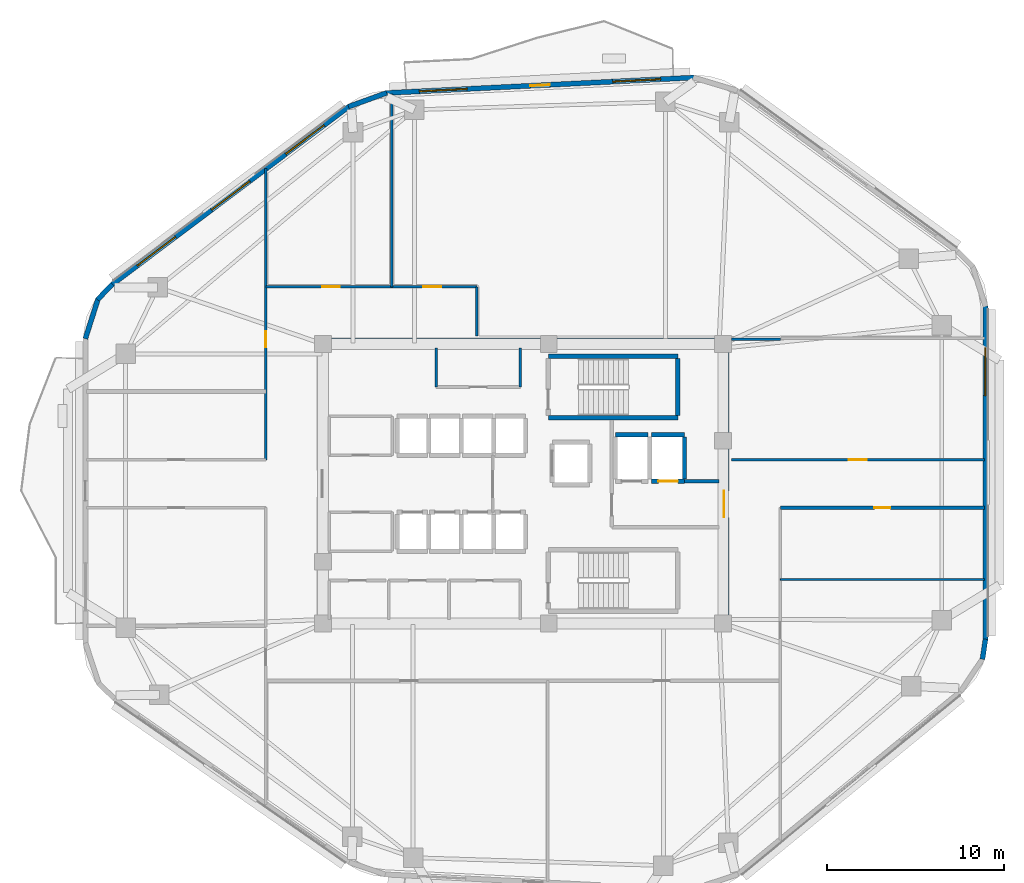
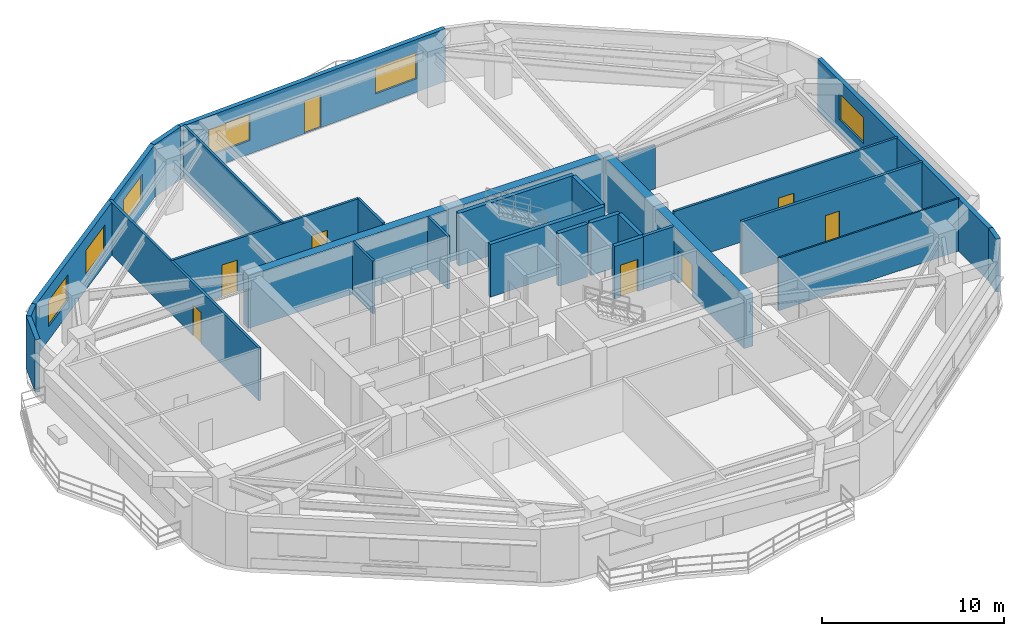
# One storey, part 5 of 9: 27 walls, 8 doors, 6 windows, 14 openings.
"""IFC4 building model written with IfcOpenShell, lengths in metres."""

from ifc_helpers import new_model, si_unit, direction, frame, frame_2d, origin, place, context, subcontext, project, spatial, rectangle, extrude, material, layer, layer_set, type_object, element, fill, save


model = new_model("IFC4")

# Units and contexts
model_context = context("Model", 3, precision=1e-05, world=origin(), true_north=direction((0.0, 1.0)))
body_context = subcontext(model_context, "Body", "Model", "MODEL_VIEW")
ifc_project = project(units=[si_unit("LENGTHUNIT", "METRE"), si_unit("AREAUNIT", "SQUARE_METRE"), si_unit("VOLUMEUNIT", "CUBIC_METRE"), si_unit("PLANEANGLEUNIT", "RADIAN"), si_unit("MASSUNIT", "GRAM", prefix="KILO")], contexts=[model_context])

# Site, building, storey
site_placement = place(None, origin())
site = spatial("IfcSite", under=ifc_project, at=site_placement, CompositionType="ELEMENT")
building_placement = place(site_placement, origin())
building = spatial("IfcBuilding", under=site, at=building_placement, Name="Zulverin Broadcast Headquarters", CompositionType="ELEMENT")
storey_placement = place(building_placement, frame((0.0, 0.0, 144.0)))
storey = spatial("IfcBuildingStorey", under=building, at=storey_placement, Name="L36", CompositionType="ELEMENT", Elevation=144.0)

# Wall
ifc_material_1 = material(Name="Concrete C60/75", Category="concrete")
ifc_layer_1 = layer(ifc_material_1, 0.550048828125, Name="Concrete C60/75", Category="concrete")
ifc_layer_set_1 = layer_set([ifc_layer_1], Name="Concrete C60/75")
wall_type_1 = type_object("IfcWallType", Name="WL-CORE-550", PredefinedType="SHEAR", material=ifc_layer_set_1)
wall_1_placement = place(storey_placement, frame((25.39990234375, 33.125, 0.0), z_axis=(0.0, 0.0, 1.0), x_axis=(1.0, 0.0, 0.0)))
element("IfcWall", 1, at=wall_1_placement, inside=storey, type_object=wall_type_1, Name="L36 Core North Shear Wall", PredefinedType="SHEAR", context=body_context, shape_type="SweptSolid", body=[
    extrude(rectangle(XDim=23.2001953125, YDim=0.550048828125, at=frame_2d((11.60009765625, 0.0))), origin(), (0.0, 0.0, 1.0), 3.5400390625),
])

# Wall, opening, door
wall_2_placement = place(storey_placement, frame((48.324951171875, 17.550048828125, 0.0), z_axis=(0.0, 0.0, 1.0), x_axis=(0.0, 1.0, 0.0)))
wall_2 = element("IfcWall", 2, at=wall_2_placement, inside=storey, type_object=wall_type_1, Name="L36 Core East Shear Wall", PredefinedType="SHEAR", context=body_context, shape_type="SweptSolid", body=[
    extrude(rectangle(XDim=15.300048828125, YDim=0.550048828125, at=frame_2d((7.64990234375, 0.0))), origin(), (0.0, 0.0, 1.0), 3.5400390625),
])
opening_1_placement = place(wall_2_placement, frame((5.75, 0.0, 0.0)))
opening_1 = element("IfcOpeningElement", 3, at=opening_1_placement, cuts=wall_2, Name="Opening D-L36-CE1", PredefinedType="OPENING", context=body_context, shape_type="SweptSolid", body=[
    extrude(rectangle(XDim=1.5, YDim=2.14990234375, at=frame_2d((0.75, 1.074951171875))), frame((0.0, 0.284912109375, 0.0), z_axis=(0.0, -1.0, 0.0), x_axis=(1.0, 0.0, 0.0)), (0.0, 0.0, 1.0), 0.570068359375),
])
ifc_material_2 = material(Name="Fire-rated glazed steel frame", Category="steel")
door_type_1 = type_object("IfcDoorType", Name="DR-COR-1500", OperationType="DOUBLE_DOOR_SINGLE_SWING", PredefinedType="DOOR", material=ifc_material_2)
door_1_placement = place(opening_1_placement, origin())
door_1 = element("IfcDoor", 4, at=door_1_placement, inside=storey, type_object=door_type_1, Name="L36 Firefighting Lobby East Corridor Door", OperationType="DOUBLE_DOOR_SINGLE_SWING", OverallHeight=2.14990234375, OverallWidth=1.5, PredefinedType="DOOR", context=body_context, shape_type="SweptSolid", body=[
    extrude(rectangle(XDim=1.5, YDim=2.14990234375, at=frame_2d((0.75, 1.074951171875))), frame((0.0, 0.02490234375, 0.0), z_axis=(0.0, -1.0, 0.0), x_axis=(1.0, 0.0, 0.0)), (0.0, 0.0, 1.0), 0.050048828125),
])
fill(opening_1, door_1)

# Wall, opening, window
ifc_material_3 = material(Name="Insulated pale-metal clad concrete spandrel C40/50", Category="concrete")
ifc_layer_2 = layer(ifc_material_3, 0.280029296875, Name="Insulated pale-metal clad concrete spandrel C40/50", Category="concrete")
ifc_layer_set_2 = layer_set([ifc_layer_2], Name="Insulated pale-metal clad concrete spandrel C40/50")
wall_type_2 = type_object("IfcWallType", Name="WL-EXT-280", PredefinedType="STANDARD", material=ifc_layer_set_2)
wall_3_placement = place(storey_placement, frame((63.06005859375, 16.418212890625, 0.0), z_axis=(0.0, 0.0, 1.0), x_axis=(0.0, 1.0, 0.0)))
wall_3 = element("IfcWall", 5, at=wall_3_placement, inside=storey, type_object=wall_type_2, Name="L36 Pale-Metal Clad Spandrel Wall 3", PredefinedType="STANDARD", context=body_context, shape_type="SweptSolid", body=[
    extrude(rectangle(XDim=18.811767578125, YDim=0.280029296875, at=frame_2d((9.40576171875, 0.0))), origin(), (0.0, 0.0, 1.0), 3.5400390625),
])
opening_2_placement = place(wall_3_placement, frame((13.742919921875, 0.0, 0.89990234375)))
opening_2 = element("IfcOpeningElement", 6, at=opening_2_placement, cuts=wall_3, Name="Opening W-L36-E31", PredefinedType="OPENING", context=body_context, shape_type="SweptSolid", body=[
    extrude(rectangle(XDim=2.699951171875, YDim=1.75, at=frame_2d((1.35009765625, 0.875))), frame((0.0, 0.14990234375, 0.0), z_axis=(0.0, -1.0, 0.0), x_axis=(1.0, 0.0, 0.0)), (0.0, 0.0, 1.0), 0.300048828125),
])
ifc_material_4 = material(Name="Pale anodized aluminium frame with solar-control low-E double glazing", Category="aluminium")
window_type = type_object("IfcWindowType", Name="WIN-TWR-2700", PartitioningType="SINGLE_PANEL", PredefinedType="WINDOW", material=ifc_material_4)
window_1_placement = place(opening_2_placement, origin())
window_1 = element("IfcWindow", 7, at=window_1_placement, inside=storey, type_object=window_type, Name="L36 Ribbon Glazing Window 3 1", OverallHeight=1.75, OverallWidth=2.699951171875, PartitioningType="SINGLE_PANEL", PredefinedType="WINDOW", context=body_context, shape_type="SweptSolid", body=[
    extrude(rectangle(XDim=2.699951171875, YDim=1.75, at=frame_2d((1.35009765625, 0.875))), frame((0.0, 0.030029296875, 0.0), z_axis=(0.0, -1.0, 0.0), x_axis=(1.0, 0.0, 0.0)), (0.0, 0.0, 1.0), 0.06005859375),
])
fill(opening_2, window_1)

# Wall, openings, door, windows
wall_4_placement = place(storey_placement, frame((46.632080078125, 48.091064453125, 0.0), z_axis=(0.0, 0.0, 1.0), x_axis=(-0.998744129094, -0.050101542886, 0.0)))
wall_4 = element("IfcWall", 8, at=wall_4_placement, inside=storey, type_object=wall_type_2, Name="L36 Pale-Metal Clad Spandrel Wall 5", PredefinedType="STANDARD", context=body_context, shape_type="SweptSolid", body=[
    extrude(rectangle(XDim=17.381591796875, YDim=0.280029296875, at=frame_2d((8.69091796875, 0.0))), origin(), (0.0, 0.0, 1.0), 3.5400390625),
])
opening_3_placement = place(wall_4_placement, frame((8.140869140625, 0.0, 0.0)))
opening_3 = element("IfcOpeningElement", 9, at=opening_3_placement, cuts=wall_4, Name="Opening D-L36-TR5", PredefinedType="OPENING", context=body_context, shape_type="SweptSolid", body=[
    extrude(rectangle(XDim=1.10009765625, YDim=2.199951171875, at=frame_2d((0.550048828125, 1.10009765625))), frame((0.0, 0.14990234375, 0.0), z_axis=(0.0, -1.0, 0.0), x_axis=(1.0, 0.0, 0.0)), (0.0, 0.0, 1.0), 0.300048828125),
])
opening_4_placement = place(wall_4_placement, frame((1.88037109375, 0.0, 0.89990234375)))
opening_4 = element("IfcOpeningElement", 10, at=opening_4_placement, cuts=wall_4, Name="Opening W-L36-E51", PredefinedType="OPENING", context=body_context, shape_type="SweptSolid", body=[
    extrude(rectangle(XDim=2.699951171875, YDim=1.75, at=frame_2d((1.35009765625, 0.875))), frame((0.0, 0.14990234375, 0.0), z_axis=(0.0, -1.0, 0.0), x_axis=(1.0, 0.0, 0.0)), (0.0, 0.0, 1.0), 0.300048828125),
])
opening_5_placement = place(wall_4_placement, frame((12.801513671875, 0.0, 0.89990234375)))
opening_5 = element("IfcOpeningElement", 11, at=opening_5_placement, cuts=wall_4, Name="Opening W-L36-E52", PredefinedType="OPENING", context=body_context, shape_type="SweptSolid", body=[
    extrude(rectangle(XDim=2.699951171875, YDim=1.75, at=frame_2d((1.35009765625, 0.875))), frame((0.0, 0.14990234375, 0.0), z_axis=(0.0, -1.0, 0.0), x_axis=(1.0, 0.0, 0.0)), (0.0, 0.0, 1.0), 0.300048828125),
])
ifc_material_5 = material(Name="Thermally broken aluminium glazed", Category="aluminium")
door_type_2 = type_object("IfcDoorType", Name="DR-TERR-1100", OperationType="SINGLE_SWING_RIGHT", PredefinedType="DOOR", material=ifc_material_5)
door_2_placement = place(opening_3_placement, origin())
door_2 = element("IfcDoor", 12, at=door_2_placement, inside=storey, type_object=door_type_2, Name="L36 Planted Terrace Glazed Access Door 5", OperationType="SINGLE_SWING_RIGHT", OverallHeight=2.199951171875, OverallWidth=1.10009765625, PredefinedType="DOOR", context=body_context, shape_type="SweptSolid", body=[
    extrude(rectangle(XDim=1.10009765625, YDim=2.199951171875, at=frame_2d((0.550048828125, 1.10009765625))), frame((0.0, 0.02490234375, 0.0), z_axis=(0.0, -1.0, 0.0), x_axis=(1.0, 0.0, 0.0)), (0.0, 0.0, 1.0), 0.050048828125),
])
fill(opening_3, door_2)
window_2_placement = place(opening_4_placement, origin())
window_2 = element("IfcWindow", 13, at=window_2_placement, inside=storey, type_object=window_type, Name="L36 Ribbon Glazing Window 5 1", OverallHeight=1.75, OverallWidth=2.699951171875, PartitioningType="SINGLE_PANEL", PredefinedType="WINDOW", context=body_context, shape_type="SweptSolid", body=[
    extrude(rectangle(XDim=2.699951171875, YDim=1.75, at=frame_2d((1.35009765625, 0.875))), frame((0.0, 0.030029296875, 0.0), z_axis=(0.0, -1.0, 0.0), x_axis=(1.0, 0.0, 0.0)), (0.0, 0.0, 1.0), 0.06005859375),
])
fill(opening_4, window_2)
window_3_placement = place(opening_5_placement, origin())
window_3 = element("IfcWindow", 14, at=window_3_placement, inside=storey, type_object=window_type, Name="L36 Ribbon Glazing Window 5 2", OverallHeight=1.75, OverallWidth=2.699951171875, PartitioningType="SINGLE_PANEL", PredefinedType="WINDOW", context=body_context, shape_type="SweptSolid", body=[
    extrude(rectangle(XDim=2.699951171875, YDim=1.75, at=frame_2d((1.35009765625, 0.875))), frame((0.0, 0.030029296875, 0.0), z_axis=(0.0, -1.0, 0.0), x_axis=(1.0, 0.0, 0.0)), (0.0, 0.0, 1.0), 0.06005859375),
])
fill(opening_5, window_3)

# Wall, openings, windows
wall_5_placement = place(storey_placement, frame((27.201171875, 46.469970703125, 0.0), z_axis=(0.0, 0.0, 1.0), x_axis=(-0.799280853427, -0.600957666849, 0.0)))
wall_5 = element("IfcWall", 15, at=wall_5_placement, inside=storey, type_object=wall_type_2, Name="L36 Pale-Metal Clad Spandrel Wall 6", PredefinedType="STANDARD", context=body_context, shape_type="SweptSolid", body=[
    extrude(rectangle(XDim=16.716064453125, YDim=0.280029296875, at=frame_2d((8.35791015625, 0.0))), origin(), (0.0, 0.0, 1.0), 3.5400390625),
])
opening_6_placement = place(wall_5_placement, frame((1.769287109375, 0.0, 0.89990234375)))
opening_6 = element("IfcOpeningElement", 16, at=opening_6_placement, cuts=wall_5, Name="Opening W-L36-E61", PredefinedType="OPENING", context=body_context, shape_type="SweptSolid", body=[
    extrude(rectangle(XDim=2.699951171875, YDim=1.75, at=frame_2d((1.35009765625, 0.875))), frame((0.0, 0.14990234375, 0.0), z_axis=(0.0, -1.0, 0.0), x_axis=(1.0, 0.0, 0.0)), (0.0, 0.0, 1.0), 0.300048828125),
])
opening_7_placement = place(wall_5_placement, frame((7.008056640625, 0.0, 0.89990234375)))
opening_7 = element("IfcOpeningElement", 17, at=opening_7_placement, cuts=wall_5, Name="Opening W-L36-E62", PredefinedType="OPENING", context=body_context, shape_type="SweptSolid", body=[
    extrude(rectangle(XDim=2.699951171875, YDim=1.75, at=frame_2d((1.35009765625, 0.875))), frame((0.0, 0.14990234375, 0.0), z_axis=(0.0, -1.0, 0.0), x_axis=(1.0, 0.0, 0.0)), (0.0, 0.0, 1.0), 0.300048828125),
])
opening_8_placement = place(wall_5_placement, frame((12.246826171875, 0.0, 0.89990234375)))
opening_8 = element("IfcOpeningElement", 18, at=opening_8_placement, cuts=wall_5, Name="Opening W-L36-E63", PredefinedType="OPENING", context=body_context, shape_type="SweptSolid", body=[
    extrude(rectangle(XDim=2.699951171875, YDim=1.75, at=frame_2d((1.35009765625, 0.875))), frame((0.0, 0.14990234375, 0.0), z_axis=(0.0, -1.0, 0.0), x_axis=(1.0, 0.0, 0.0)), (0.0, 0.0, 1.0), 0.300048828125),
])
window_4_placement = place(opening_6_placement, origin())
window_4 = element("IfcWindow", 19, at=window_4_placement, inside=storey, type_object=window_type, Name="L36 Ribbon Glazing Window 6 1", OverallHeight=1.75, OverallWidth=2.699951171875, PartitioningType="SINGLE_PANEL", PredefinedType="WINDOW", context=body_context, shape_type="SweptSolid", body=[
    extrude(rectangle(XDim=2.699951171875, YDim=1.75, at=frame_2d((1.35009765625, 0.875))), frame((0.0, 0.030029296875, 0.0), z_axis=(0.0, -1.0, 0.0), x_axis=(1.0, 0.0, 0.0)), (0.0, 0.0, 1.0), 0.06005859375),
])
fill(opening_6, window_4)
window_5_placement = place(opening_7_placement, origin())
window_5 = element("IfcWindow", 20, at=window_5_placement, inside=storey, type_object=window_type, Name="L36 Ribbon Glazing Window 6 2", OverallHeight=1.75, OverallWidth=2.699951171875, PartitioningType="SINGLE_PANEL", PredefinedType="WINDOW", context=body_context, shape_type="SweptSolid", body=[
    extrude(rectangle(XDim=2.699951171875, YDim=1.75, at=frame_2d((1.35009765625, 0.875))), frame((0.0, 0.030029296875, 0.0), z_axis=(0.0, -1.0, 0.0), x_axis=(1.0, 0.0, 0.0)), (0.0, 0.0, 1.0), 0.06005859375),
])
fill(opening_7, window_5)
window_6_placement = place(opening_8_placement, origin())
window_6 = element("IfcWindow", 21, at=window_6_placement, inside=storey, type_object=window_type, Name="L36 Ribbon Glazing Window 6 3", OverallHeight=1.75, OverallWidth=2.699951171875, PartitioningType="SINGLE_PANEL", PredefinedType="WINDOW", context=body_context, shape_type="SweptSolid", body=[
    extrude(rectangle(XDim=2.699951171875, YDim=1.75, at=frame_2d((1.35009765625, 0.875))), frame((0.0, 0.030029296875, 0.0), z_axis=(0.0, -1.0, 0.0), x_axis=(1.0, 0.0, 0.0)), (0.0, 0.0, 1.0), 0.06005859375),
])
fill(opening_8, window_6)

# Walls
wall_6_placement = place(storey_placement, frame((62.8935546875, 15.306884765625, 0.0), z_axis=(0.0, 0.0, 1.0), x_axis=(0.146796104284, 0.989166772474, 0.0)))
element("IfcWall", 22, at=wall_6_placement, inside=storey, type_object=wall_type_2, Name="L36 Wind-Shaped Corner Spandrel Wall 2-2", PredefinedType="STANDARD", context=body_context, shape_type="SweptSolid", body=[
    extrude(rectangle(XDim=1.144287109375, YDim=0.280029296875, at=frame_2d((0.572265625, 0.0))), origin(), (0.0, 0.0, 1.0), 3.5400390625),
])
wall_7_placement = place(storey_placement, frame((29.31298828125, 47.228271484375, 0.0), z_axis=(0.0, 0.0, 1.0), x_axis=(-0.940226330758, -0.340550212084, 0.0)))
element("IfcWall", 23, at=wall_7_placement, inside=storey, type_object=wall_type_2, Name="L36 Wind-Shaped Corner Spandrel Wall 5-1", PredefinedType="STANDARD", context=body_context, shape_type="SweptSolid", body=[
    extrude(rectangle(XDim=2.28466796875, YDim=0.280029296875, at=frame_2d((1.142333984375, 0.0))), origin(), (0.0, 0.0, 1.0), 3.5400390625),
])
wall_8_placement = place(storey_placement, frame((13.8564453125, 36.4384765625, 0.0), z_axis=(0.0, 0.0, 1.0), x_axis=(-0.697369094044, -0.716712178404, 0.0)))
element("IfcWall", 24, at=wall_8_placement, inside=storey, type_object=wall_type_2, Name="L36 Wind-Shaped Corner Spandrel Wall 6-1", PredefinedType="STANDARD", context=body_context, shape_type="SweptSolid", body=[
    extrude(rectangle(XDim=1.198974609375, YDim=0.280029296875, at=frame_2d((0.599609375, 0.0))), origin(), (0.0, 0.0, 1.0), 3.5400390625),
])
wall_9_placement = place(storey_placement, frame((13.053466796875, 35.63427734375, 0.0), z_axis=(0.0, 0.0, 1.0), x_axis=(-0.303807416298, -0.952733464198, 0.0)))
element("IfcWall", 25, at=wall_9_placement, inside=storey, type_object=wall_type_2, Name="L36 Wind-Shaped Corner Spandrel Wall 6-2", PredefinedType="STANDARD", context=body_context, shape_type="SweptSolid", body=[
    extrude(rectangle(XDim=2.369873046875, YDim=0.280029296875, at=frame_2d((1.18505859375, 0.0))), origin(), (0.0, 0.0, 1.0), 3.5400390625),
])
ifc_material_6 = material(Name="Concrete C40/50", Category="concrete")
ifc_layer_3 = layer(ifc_material_6, 0.199951171875, Name="Concrete C40/50", Category="concrete")
ifc_layer_set_3 = layer_set([ifc_layer_3], Name="Concrete C40/50")
wall_type_3 = type_object("IfcWallType", Name="WL-FFL-200", PredefinedType="SOLIDWALL", material=ifc_layer_set_3)
wall_10_placement = place(storey_placement, frame((46.10009765625, 25.35009765625, 0.0), z_axis=(0.0, 0.0, 1.0), x_axis=(1.0, 0.0, 0.0)))
element("IfcWall", 26, at=wall_10_placement, inside=storey, type_object=wall_type_3, Name="L36 Firefighting Lift Lobby North Wall", PredefinedType="SOLIDWALL", context=body_context, shape_type="SweptSolid", body=[
    extrude(rectangle(XDim=1.949951171875, YDim=0.199951171875, at=frame_2d((0.97509765625, 0.0))), origin(), (0.0, 0.0, 1.0), 3.5400390625),
])
ifc_material_7 = material(Name="Fire-rated acoustic laminated glass screen", Category="glass")
ifc_layer_4 = layer(ifc_material_7, 0.10009765625, Name="Fire-rated acoustic laminated glass screen", Category="glass")
ifc_layer_set_4 = layer_set([ifc_layer_4], Name="Fire-rated acoustic laminated glass screen")
wall_type_4 = type_object("IfcWallType", Name="WL-GLAZ-100", PredefinedType="PARTITIONING", material=ifc_layer_set_4)
wall_11_placement = place(storey_placement, frame((51.5, 19.800048828125, 0.0), z_axis=(0.0, 0.0, 1.0), x_axis=(1.0, 0.0, 0.0)))
element("IfcWall", 27, at=wall_11_placement, inside=storey, type_object=wall_type_4, Name="L36 Room Partition Wall RP-10", PredefinedType="PARTITIONING", context=body_context, shape_type="SweptSolid", body=[
    extrude(rectangle(XDim=11.4951171875, YDim=0.10009765625, at=frame_2d((5.74755859375, 0.0))), origin(), (0.0, 0.0, 1.0), 3.5400390625),
])
ifc_material_8 = material(Name="Fire-rated gypsum stud partition", Category="gypsum")
ifc_layer_5 = layer(ifc_material_8, 0.14990234375, Name="Fire-rated gypsum stud partition", Category="gypsum")
ifc_layer_set_5 = layer_set([ifc_layer_5], Name="Fire-rated gypsum stud partition")
wall_type_5 = type_object("IfcWallType", Name="WL-PART-150", PredefinedType="PARTITIONING", material=ifc_layer_set_5)
for number, where, z_axis, x_axis, name in (
    (28, (32.10009765625, 30.64990234375, 0.0), (0.0, 0.0, 1.0), (0.0, 1.0, 0.0), "L36 Core Accessible WC & Electrical Riser West Wall"),
    (29, (36.85009765625, 30.64990234375, 0.0), (0.0, 0.0, 1.0), (0.0, 1.0, 0.0), "L36 Core Accessible WC & Electrical Riser East Wall"),
):
    element("IfcWall", number, at=place(storey_placement, frame(where, z_axis=z_axis, x_axis=x_axis)), inside=storey, type_object=wall_type_5, Name=name, PredefinedType="PARTITIONING", context=body_context, shape_type="SweptSolid", body=[
        extrude(rectangle(XDim=2.2001953125, YDim=0.14990234375, at=frame_2d((1.10009765625, 0.0))), origin(), (0.0, 0.0, 1.0), 3.5400390625),
    ])
wall_12_placement = place(storey_placement, frame((34.39990234375, 33.5400390625, 0.0), z_axis=(0.0, 0.0, 1.0), x_axis=(0.0, 1.0, 0.0)))
element("IfcWall", 30, at=wall_12_placement, inside=storey, type_object=wall_type_5, Name="L36 Gallery Partition Wall CG-03", PredefinedType="PARTITIONING", context=body_context, shape_type="SweptSolid", body=[
    extrude(rectangle(XDim=2.760009765625, YDim=0.14990234375, at=frame_2d((1.3798828125, 0.0))), origin(), (0.0, 0.0, 1.0), 3.5400390625),
])
wall_13_placement = place(storey_placement, frame((29.60009765625, 36.300048828125, 0.0), z_axis=(0.0, 0.0, 1.0), x_axis=(0.0, 1.0, 0.0)))
element("IfcWall", 31, at=wall_13_placement, inside=storey, type_object=wall_type_5, Name="L36 Room Partition Wall RP-04", PredefinedType="PARTITIONING", context=body_context, shape_type="SweptSolid", body=[
    extrude(rectangle(XDim=10.87158203125, YDim=0.14990234375, at=frame_2d((5.435791015625, 0.0))), origin(), (0.0, 0.0, 1.0), 3.5400390625),
])

# Wall, opening, door
wall_14_placement = place(storey_placement, frame((22.5, 26.550048828125, 0.0), z_axis=(0.0, 0.0, 1.0), x_axis=(0.0, 1.0, 0.0)))
wall_14 = element("IfcWall", 32, at=wall_14_placement, inside=storey, type_object=wall_type_5, Name="L36 Gallery Partition Wall CG-07", PredefinedType="PARTITIONING", context=body_context, shape_type="SweptSolid", body=[
    extrude(rectangle(XDim=16.42041015625, YDim=0.14990234375, at=frame_2d((8.210205078125, 0.0))), origin(), (0.0, 0.0, 1.0), 3.5400390625),
])
opening_9_placement = place(wall_14_placement, frame((6.35009765625, 0.0, 0.0)))
opening_9 = element("IfcOpeningElement", 33, at=opening_9_placement, cuts=wall_14, Name="Opening D-L36-08", PredefinedType="OPENING", context=body_context, shape_type="SweptSolid", body=[
    extrude(rectangle(XDim=0.89990234375, YDim=2.10009765625, at=frame_2d((0.449951171875, 1.050048828125))), frame((0.0, 0.0849609375, 0.0), z_axis=(0.0, -1.0, 0.0), x_axis=(1.0, 0.0, 0.0)), (0.0, 0.0, 1.0), 0.169921875),
])
ifc_material_9 = material(Name="Fire-rated hardwood veneer timber leaf", Category="wood")
door_type_3 = type_object("IfcDoorType", Name="DR-ROOM-900", OperationType="SINGLE_SWING_RIGHT", PredefinedType="DOOR", material=ifc_material_9)
door_3_placement = place(opening_9_placement, origin())
door_3 = element("IfcDoor", 34, at=door_3_placement, inside=storey, type_object=door_type_3, Name="L36 Standards Review Suite Door", OperationType="SINGLE_SWING_LEFT", OverallHeight=2.10009765625, OverallWidth=0.89990234375, PredefinedType="DOOR", context=body_context, shape_type="SweptSolid", body=[
    extrude(rectangle(XDim=0.89990234375, YDim=2.10009765625, at=frame_2d((0.449951171875, 1.050048828125))), frame((0.0, 0.02490234375, 0.0), z_axis=(0.0, -1.0, 0.0), x_axis=(1.0, 0.0, 0.0)), (0.0, 0.0, 1.0), 0.050048828125),
])
fill(opening_9, door_3)

wall_15_placement = place(storey_placement, frame((48.739990234375, 26.550048828125, 0.0), z_axis=(0.0, 0.0, 1.0), x_axis=(1.0, 0.0, 0.0)))
wall_15 = element("IfcWall", 35, at=wall_15_placement, inside=storey, type_object=wall_type_5, Name="L36 Gallery Partition Wall CG-14", PredefinedType="PARTITIONING", context=body_context, shape_type="SweptSolid", body=[
    extrude(rectangle(XDim=14.255126953125, YDim=0.14990234375, at=frame_2d((7.12744140625, 0.0))), origin(), (0.0, 0.0, 1.0), 3.5400390625),
])
opening_10_placement = place(wall_15_placement, frame((6.62744140625, 0.0, 0.0)))
opening_10 = element("IfcOpeningElement", 36, at=opening_10_placement, cuts=wall_15, Name="Opening D-L36-11", PredefinedType="OPENING", context=body_context, shape_type="SweptSolid", body=[
    extrude(rectangle(XDim=1.0, YDim=2.1201171875, at=frame_2d((0.5, 1.06005859375))), frame((0.0, 0.0849609375, 0.0), z_axis=(0.0, -1.0, 0.0), x_axis=(1.0, 0.0, 0.0)), (0.0, 0.0, 1.0), 0.169921875),
])
ifc_material_10 = material(Name="Hardwood veneer acoustic leaf", Category="wood")
door_type_4 = type_object("IfcDoorType", Name="DR-OFF-1000", OperationType="SINGLE_SWING_LEFT", PredefinedType="DOOR", material=ifc_material_10)
door_4_placement = place(opening_10_placement, origin())
door_4 = element("IfcDoor", 37, at=door_4_placement, inside=storey, type_object=door_type_4, Name="L36 Legal & Compliance Office Door", OperationType="SINGLE_SWING_RIGHT", OverallHeight=2.1201171875, OverallWidth=1.0, PredefinedType="DOOR", context=body_context, shape_type="SweptSolid", body=[
    extrude(rectangle(XDim=1.0, YDim=2.1201171875, at=frame_2d((0.5, 1.06005859375))), frame((0.0, 0.02490234375, 0.0), z_axis=(0.0, -1.0, 0.0), x_axis=(1.0, 0.0, 0.0)), (0.0, 0.0, 1.0), 0.050048828125),
])
fill(opening_10, door_4)

# Wall
wall_16_placement = place(storey_placement, frame((48.739990234375, 33.35009765625, 0.0), z_axis=(0.0, 0.0, 1.0), x_axis=(1.0, 0.0, 0.0)))
element("IfcWall", 38, at=wall_16_placement, inside=storey, type_object=wall_type_5, Name="L36 Room Partition Wall RP-16", PredefinedType="PARTITIONING", context=body_context, shape_type="SweptSolid", body=[
    extrude(rectangle(XDim=2.758544921875, YDim=0.14990234375, at=frame_2d((1.37939453125, 0.0))), origin(), (0.0, 0.0, 1.0), 2.9228515625),
])

# Wall, openings, doors
wall_17_placement = place(storey_placement, frame((22.5, 36.300048828125, 0.0), z_axis=(0.0, 0.0, 1.0), x_axis=(1.0, 0.0, 0.0)))
wall_17 = element("IfcWall", 39, at=wall_17_placement, inside=storey, type_object=wall_type_5, Name="L36 Gallery Partition Wall CG-18", PredefinedType="PARTITIONING", context=body_context, shape_type="SweptSolid", body=[
    extrude(rectangle(XDim=11.89990234375, YDim=0.14990234375, at=frame_2d((5.949951171875, 0.0))), origin(), (0.0, 0.0, 1.0), 3.5400390625),
])
opening_11_placement = place(wall_17_placement, frame((3.169921875, 0.0, 0.0)))
opening_11 = element("IfcOpeningElement", 40, at=opening_11_placement, cuts=wall_17, Name="Opening D-L36-01", PredefinedType="OPENING", context=body_context, shape_type="SweptSolid", body=[
    extrude(rectangle(XDim=1.0, YDim=2.1201171875, at=frame_2d((0.5, 1.06005859375))), frame((0.0, 0.0849609375, 0.0), z_axis=(0.0, -1.0, 0.0), x_axis=(1.0, 0.0, 0.0)), (0.0, 0.0, 1.0), 0.169921875),
])
opening_12_placement = place(wall_17_placement, frame((8.8798828125, 0.0, 0.0)))
opening_12 = element("IfcOpeningElement", 41, at=opening_12_placement, cuts=wall_17, Name="Opening D-L36-02", PredefinedType="OPENING", context=body_context, shape_type="SweptSolid", body=[
    extrude(rectangle(XDim=1.0, YDim=2.1201171875, at=frame_2d((0.5, 1.06005859375))), frame((0.0, 0.0849609375, 0.0), z_axis=(0.0, -1.0, 0.0), x_axis=(1.0, 0.0, 0.0)), (0.0, 0.0, 1.0), 0.169921875),
])
door_5_placement = place(opening_11_placement, origin())
door_5 = element("IfcDoor", 42, at=door_5_placement, inside=storey, type_object=door_type_4, Name="L36 Legal & Compliance Office Door", OperationType="SINGLE_SWING_RIGHT", OverallHeight=2.1201171875, OverallWidth=1.0, PredefinedType="DOOR", context=body_context, shape_type="SweptSolid", body=[
    extrude(rectangle(XDim=1.0, YDim=2.1201171875, at=frame_2d((0.5, 1.06005859375))), frame((0.0, 0.02490234375, 0.0), z_axis=(0.0, -1.0, 0.0), x_axis=(1.0, 0.0, 0.0)), (0.0, 0.0, 1.0), 0.050048828125),
])
fill(opening_11, door_5)
door_6_placement = place(opening_12_placement, origin())
door_6 = element("IfcDoor", 43, at=door_6_placement, inside=storey, type_object=door_type_4, Name="L36 Commissioning Office Door", OperationType="SINGLE_SWING_LEFT", OverallHeight=2.1201171875, OverallWidth=1.0, PredefinedType="DOOR", context=body_context, shape_type="SweptSolid", body=[
    extrude(rectangle(XDim=1.0, YDim=2.1201171875, at=frame_2d((0.5, 1.06005859375))), frame((0.0, 0.02490234375, 0.0), z_axis=(0.0, -1.0, 0.0), x_axis=(1.0, 0.0, 0.0)), (0.0, 0.0, 1.0), 0.050048828125),
])
fill(opening_12, door_6)

# Wall, opening, door
ifc_material_11 = material(Name="Fire-rated acoustic stud wall", Category="gypsum")
ifc_layer_6 = layer(ifc_material_11, 0.175048828125, Name="Fire-rated acoustic stud wall", Category="gypsum")
ifc_layer_set_6 = layer_set([ifc_layer_6], Name="Fire-rated acoustic stud wall")
wall_type_6 = type_object("IfcWallType", Name="WL-PART-175", PredefinedType="PARTITIONING", material=ifc_layer_set_6)
wall_18_placement = place(storey_placement, frame((51.5, 23.85009765625, 0.0), z_axis=(0.0, 0.0, 1.0), x_axis=(1.0, 0.0, 0.0)))
wall_18 = element("IfcWall", 44, at=wall_18_placement, inside=storey, type_object=wall_type_6, Name="L36 Gallery Partition Wall CG-12", PredefinedType="PARTITIONING", context=body_context, shape_type="SweptSolid", body=[
    extrude(rectangle(XDim=11.4951171875, YDim=0.175048828125, at=frame_2d((5.74755859375, 0.0))), origin(), (0.0, 0.0, 1.0), 3.5400390625),
])
opening_13_placement = place(wall_18_placement, frame((5.297607421875, 0.0, 0.0)))
opening_13 = element("IfcOpeningElement", 45, at=opening_13_placement, cuts=wall_18, Name="Opening D-L36-10", PredefinedType="OPENING", context=body_context, shape_type="SweptSolid", body=[
    extrude(rectangle(XDim=0.89990234375, YDim=2.10009765625, at=frame_2d((0.449951171875, 1.050048828125))), frame((0.0, 0.097412109375, 0.0), z_axis=(0.0, -1.0, 0.0), x_axis=(1.0, 0.0, 0.0)), (0.0, 0.0, 1.0), 0.195068359375),
])
door_7_placement = place(opening_13_placement, origin())
door_7 = element("IfcDoor", 46, at=door_7_placement, inside=storey, type_object=door_type_3, Name="L36 Floor Reception Door", OperationType="SINGLE_SWING_LEFT", OverallHeight=2.10009765625, OverallWidth=0.89990234375, PredefinedType="DOOR", context=body_context, shape_type="SweptSolid", body=[
    extrude(rectangle(XDim=0.89990234375, YDim=2.10009765625, at=frame_2d((0.449951171875, 1.050048828125))), frame((0.0, 0.02490234375, 0.0), z_axis=(0.0, -1.0, 0.0), x_axis=(1.0, 0.0, 0.0)), (0.0, 0.0, 1.0), 0.050048828125),
])
fill(opening_13, door_7)

# Walls
ifc_material_12 = material(Name="Concrete C50/60", Category="concrete")
ifc_layer_7 = layer(ifc_material_12, 0.25, Name="Concrete C50/60", Category="concrete")
ifc_layer_set_7 = layer_set([ifc_layer_7], Name="Concrete C50/60")
wall_type_7 = type_object("IfcWallType", Name="WL-SHAFT-250", PredefinedType="SHEAR", material=ifc_layer_set_7)
for number, where, z_axis, x_axis, name in (
    (47, (38.425048828125, 28.925048828125, 0.0), (0.0, 0.0, 1.0), (1.0, 0.0, 0.0), "L36 ST-1 Enclosure Wall S"),
    (48, (38.425048828125, 32.375, 0.0), (0.0, 0.0, 1.0), (1.0, 0.0, 0.0), "L36 ST-1 Enclosure Wall N"),
):
    element("IfcWall", number, at=place(storey_placement, frame(where, z_axis=z_axis, x_axis=x_axis)), inside=storey, type_object=wall_type_7, Name=name, PredefinedType="SHEAR", context=body_context, shape_type="SweptSolid", body=[
        extrude(rectangle(XDim=7.300048828125, YDim=0.25, at=frame_2d((3.64990234375, 0.0))), origin(), (0.0, 0.0, 1.0), 3.5400390625),
    ])
wall_19_placement = place(storey_placement, frame((45.72509765625, 29.050048828125, 0.0), z_axis=(0.0, 0.0, 1.0), x_axis=(0.0, 1.0, 0.0)))
element("IfcWall", 49, at=wall_19_placement, inside=storey, type_object=wall_type_7, Name="L36 ST-1 Enclosure Wall E", PredefinedType="SHEAR", context=body_context, shape_type="SweptSolid", body=[
    extrude(rectangle(XDim=3.199951171875, YDim=0.25, at=frame_2d((1.60009765625, 0.0))), origin(), (0.0, 0.0, 1.0), 3.5400390625),
])
wall_20_placement = place(storey_placement, frame((42.199951171875, 27.949951171875, 0.0), z_axis=(0.0, 0.0, 1.0), x_axis=(1.0, 0.0, 0.0)))
element("IfcWall", 50, at=wall_20_placement, inside=storey, type_object=wall_type_7, Name="L36 Lift FFL-1 Shaft Wall N", PredefinedType="SHEAR", context=body_context, shape_type="SweptSolid", body=[
    extrude(rectangle(XDim=1.85009765625, YDim=0.25, at=frame_2d((0.925048828125, 0.0))), origin(), (0.0, 0.0, 1.0), 3.5400390625),
])

# Wall, opening, door
wall_21_placement = place(storey_placement, frame((44.25, 25.35009765625, 0.0), z_axis=(0.0, 0.0, 1.0), x_axis=(1.0, 0.0, 0.0)))
wall_21 = element("IfcWall", 51, at=wall_21_placement, inside=storey, type_object=wall_type_7, Name="L36 Lift FFL-2 Shaft Wall S", PredefinedType="SHEAR", context=body_context, shape_type="SweptSolid", body=[
    extrude(rectangle(XDim=1.85009765625, YDim=0.25, at=frame_2d((0.925048828125, 0.0))), origin(), (0.0, 0.0, 1.0), 3.5400390625),
])
opening_14_placement = place(wall_21_placement, frame((0.375, 0.0, 0.0)))
opening_14 = element("IfcOpeningElement", 52, at=opening_14_placement, cuts=wall_21, Name="Opening LD-FFL-2-L36", PredefinedType="OPENING", context=body_context, shape_type="SweptSolid", body=[
    extrude(rectangle(XDim=1.10009765625, YDim=2.14990234375, at=frame_2d((0.550048828125, 1.074951171875))), frame((0.0, 0.135009765625, 0.0), z_axis=(0.0, -1.0, 0.0), x_axis=(1.0, 0.0, 0.0)), (0.0, 0.0, 1.0), 0.27001953125),
])
ifc_material_13 = material(Name="Fire-rated stainless landing door", Category="steel")
door_type_5 = type_object("IfcDoorType", Name="LD-FFL-1100", OperationType="DOUBLE_DOOR_SLIDING", PredefinedType="DOOR", material=ifc_material_13)
door_8_placement = place(opening_14_placement, origin())
door_8 = element("IfcDoor", 53, at=door_8_placement, inside=storey, type_object=door_type_5, Name="L36 Lift FFL-2 Sliding Landing Door", OperationType="DOUBLE_DOOR_SLIDING", OverallHeight=2.14990234375, OverallWidth=1.10009765625, PredefinedType="DOOR", context=body_context, shape_type="SweptSolid", body=[
    extrude(rectangle(XDim=1.10009765625, YDim=2.14990234375, at=frame_2d((0.550048828125, 1.074951171875))), frame((0.0, 0.02490234375, 0.0), z_axis=(0.0, -1.0, 0.0), x_axis=(1.0, 0.0, 0.0)), (0.0, 0.0, 1.0), 0.050048828125),
])
fill(opening_14, door_8)

# Walls
wall_22_placement = place(storey_placement, frame((44.25, 27.949951171875, 0.0), z_axis=(0.0, 0.0, 1.0), x_axis=(1.0, 0.0, 0.0)))
element("IfcWall", 54, at=wall_22_placement, inside=storey, type_object=wall_type_7, Name="L36 Lift FFL-2 Shaft Wall N", PredefinedType="SHEAR", context=body_context, shape_type="SweptSolid", body=[
    extrude(rectangle(XDim=1.85009765625, YDim=0.25, at=frame_2d((0.925048828125, 0.0))), origin(), (0.0, 0.0, 1.0), 3.5400390625),
])
wall_23_placement = place(storey_placement, frame((46.10009765625, 25.469970703125, 0.0), z_axis=(0.0, 0.0, 1.0), x_axis=(0.0, 1.0, 0.0)))
element("IfcWall", 55, at=wall_23_placement, inside=storey, type_object=wall_type_7, Name="L36 Lift FFL-2 Shaft Wall E", PredefinedType="SHEAR", context=body_context, shape_type="SweptSolid", body=[
    extrude(rectangle(XDim=2.360107421875, YDim=0.25, at=frame_2d((1.18017578125, 0.0))), origin(), (0.0, 0.0, 1.0), 3.5400390625),
])

save(model, "model.ifc")
